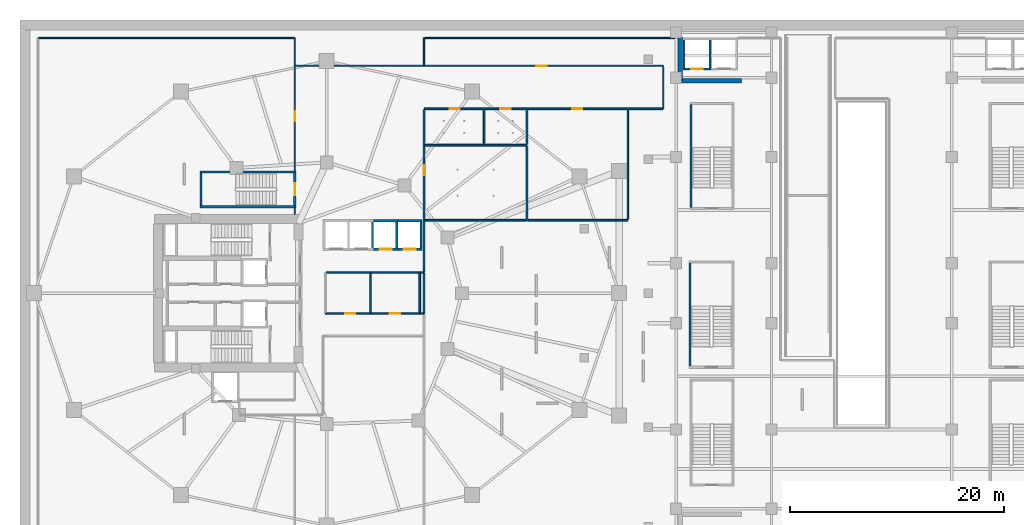
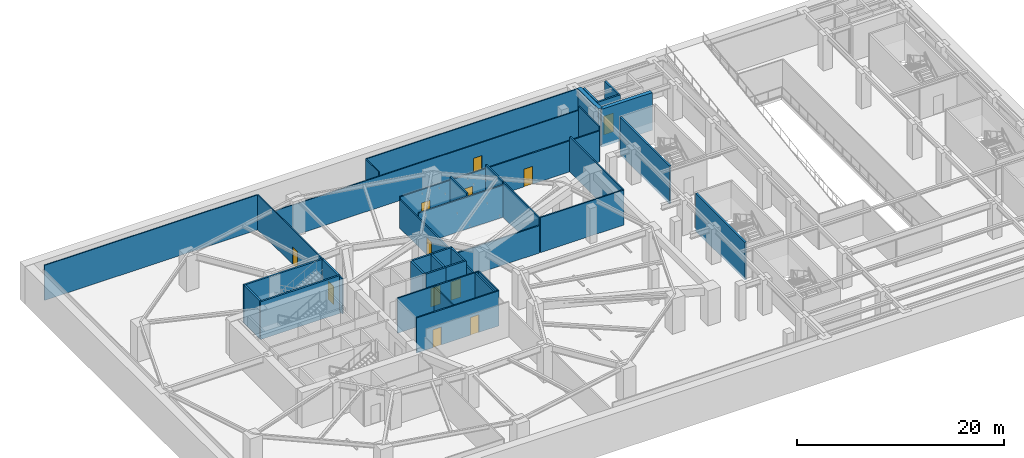
# One storey, part 7 of 16: 39 walls, 12 doors, 12 openings.
"""IFC4 building model written with IfcOpenShell, lengths in metres."""

from ifc_helpers import new_model, si_unit, direction, frame, frame_2d, origin, place, context, subcontext, project, spatial, rectangle, extrude, material, layer, layer_set, type_object, element, fill, save


model = new_model("IFC4")

# Units and contexts
model_context = context("Model", 3, precision=1e-05, world=origin(), true_north=direction((0.0, 1.0)))
body_context = subcontext(model_context, "Body", "Model", "MODEL_VIEW")
ifc_project = project(units=[si_unit("LENGTHUNIT", "METRE"), si_unit("AREAUNIT", "SQUARE_METRE"), si_unit("VOLUMEUNIT", "CUBIC_METRE"), si_unit("PLANEANGLEUNIT", "RADIAN"), si_unit("MASSUNIT", "GRAM", prefix="KILO")], contexts=[model_context])

# Site, building, storey
site_placement = place(None, origin())
site = spatial("IfcSite", under=ifc_project, at=site_placement, CompositionType="ELEMENT")
building_placement = place(site_placement, origin())
building = spatial("IfcBuilding", under=site, at=building_placement, Name="Kolvaren Gate Tower and Convention Centre", CompositionType="ELEMENT")
storey_placement = place(building_placement, frame((0.0, 0.0, -4.5)))
storey = spatial("IfcBuildingStorey", under=building, at=storey_placement, Name="B1", CompositionType="ELEMENT", Elevation=-4.5)

# Wall
ifc_material_1 = material(Name="Fire-Rated Acoustic Gypsum Stud Partition", Category="gypsum")
ifc_layer_1 = layer(ifc_material_1, 0.1201171875)
ifc_layer_set_1 = layer_set([ifc_layer_1], Name="Fire-Rated Acoustic Gypsum Stud Partition")
wall_type_1 = type_object("IfcWallType", Name="ARCH-WL-PART-120", PredefinedType="PARTITIONING", material=ifc_layer_set_1)
wall_1_placement = place(storey_placement, frame((27.14990234375, 34.35205078125, 0.0), z_axis=(0.0, 0.0, 1.0), x_axis=(0.0, 1.0, 0.0)))
element("IfcWall", 1, at=wall_1_placement, inside=storey, type_object=wall_type_1, Name="Interior Partition WL-B1-INT-018", PredefinedType="PARTITIONING", context=body_context, shape_type="SweptSolid", body=[
    extrude(rectangle(XDim=0.60595703125, YDim=0.1201171875, at=frame_2d((0.302978515625, 0.0))), origin(), (0.0, 0.0, 1.0), 4.139892578125),
])

# Wall, opening, door
wall_2_placement = place(storey_placement, frame((27.14990234375, 38.402099609375, 0.0), z_axis=(0.0, 0.0, 1.0), x_axis=(0.0, 1.0, 0.0)))
wall_2 = element("IfcWall", 2, at=wall_2_placement, inside=storey, type_object=wall_type_1, Name="Interior Partition WL-B1-INT-019", PredefinedType="PARTITIONING", context=body_context, shape_type="SweptSolid", body=[
    extrude(rectangle(XDim=12.39794921875, YDim=0.1201171875, at=frame_2d((6.198974609375, 0.0))), origin(), (0.0, 0.0, 1.0), 4.139892578125),
])
opening_1_placement = place(wall_2_placement, frame((4.62890625, 0.0, 0.0)))
opening_1 = element("IfcOpeningElement", 3, at=opening_1_placement, cuts=wall_2, Name="Opening DR-01", PredefinedType="OPENING", context=body_context, shape_type="SweptSolid", body=[
    extrude(rectangle(XDim=0.949951171875, YDim=2.10009765625, at=frame_2d((0.47509765625, 1.050048828125))), frame((0.0, 0.070068359375, 0.0), z_axis=(0.0, -1.0, 0.0), x_axis=(1.0, 0.0, 0.0)), (0.0, 0.0, 1.0), 0.14013671875),
])
ifc_material_2 = material(Name="Painted Architectural Steelwork ASTM A500 Grade C 345 MPa", Category="steel")
door_type_1 = type_object("IfcDoorType", Name="ARCH-DR-RISER-950", OperationType="SINGLE_SWING_RIGHT", PredefinedType="DOOR", material=ifc_material_2)
door_1_placement = place(opening_1_placement, origin())
door_1 = element("IfcDoor", 4, at=door_1_placement, inside=storey, type_object=door_type_1, Name="Basement B1 Tower Parking Aisles and Bays Door", OperationType="SINGLE_SWING_LEFT", OverallHeight=2.10009765625, OverallWidth=0.949951171875, PredefinedType="DOOR", context=body_context, shape_type="SweptSolid", body=[
    extrude(rectangle(XDim=0.949951171875, YDim=2.10009765625, at=frame_2d((0.47509765625, 1.050048828125))), frame((0.0, 0.02490234375, 0.0), z_axis=(0.0, -1.0, 0.0), x_axis=(1.0, 0.0, 0.0)), (0.0, 0.0, 1.0), 0.050048828125),
])
fill(opening_1, door_1)

wall_3_placement = place(storey_placement, frame((27.2119140625, 48.199951171875, 0.0), z_axis=(0.0, 0.0, 1.0), x_axis=(1.0, 0.0, 0.0)))
wall_3 = element("IfcWall", 5, at=wall_3_placement, inside=storey, type_object=wall_type_1, Name="Interior Partition WL-B1-INT-020", PredefinedType="PARTITIONING", context=body_context, shape_type="SweptSolid", body=[
    extrude(rectangle(XDim=34.2880859375, YDim=0.1201171875, at=frame_2d((17.14404296875, 0.0))), origin(), (0.0, 0.0, 1.0), 3.6630859375),
])
opening_2_placement = place(wall_3_placement, frame((22.4580078125, 0.0, 0.0)))
opening_2 = element("IfcOpeningElement", 6, at=opening_2_placement, cuts=wall_3, Name="Opening DR-01", PredefinedType="OPENING", context=body_context, shape_type="SweptSolid", body=[
    extrude(rectangle(XDim=0.949951171875, YDim=2.10009765625, at=frame_2d((0.47509765625, 1.050048828125))), frame((0.0, 0.070068359375, 0.0), z_axis=(0.0, -1.0, 0.0), x_axis=(1.0, 0.0, 0.0)), (0.0, 0.0, 1.0), 0.14013671875),
])
door_2_placement = place(opening_2_placement, origin())
door_2 = element("IfcDoor", 7, at=door_2_placement, inside=storey, type_object=door_type_1, Name="Basement B1 Convention Parking Garage Door", OperationType="SINGLE_SWING_RIGHT", OverallHeight=2.10009765625, OverallWidth=0.949951171875, PredefinedType="DOOR", context=body_context, shape_type="SweptSolid", body=[
    extrude(rectangle(XDim=0.949951171875, YDim=2.10009765625, at=frame_2d((0.47509765625, 1.050048828125))), frame((0.0, 0.02490234375, 0.0), z_axis=(0.0, -1.0, 0.0), x_axis=(1.0, 0.0, 0.0)), (0.0, 0.0, 1.0), 0.050048828125),
])
fill(opening_2, door_2)

# Walls
wall_4_placement = place(storey_placement, frame((61.5, 44.199951171875, 0.0), z_axis=(0.0, 0.0, 1.0), x_axis=(0.0, 1.0, 0.0)))
element("IfcWall", 8, at=wall_4_placement, inside=storey, type_object=wall_type_1, Name="Interior Partition WL-B1-INT-021", PredefinedType="PARTITIONING", context=body_context, shape_type="SweptSolid", body=[
    extrude(rectangle(XDim=3.93798828125, YDim=0.1201171875, at=frame_2d((1.968994140625, 0.0))), origin(), (0.0, 0.0, 1.0), 4.139892578125),
])
wall_5_placement = place(storey_placement, frame((39.199951171875, 48.261962890625, 0.0), z_axis=(0.0, 0.0, 1.0), x_axis=(0.0, 1.0, 0.0)))
element("IfcWall", 9, at=wall_5_placement, inside=storey, type_object=wall_type_1, Name="Interior Partition WL-B1-INT-024", PredefinedType="PARTITIONING", context=body_context, shape_type="SweptSolid", body=[
    extrude(rectangle(XDim=2.5380859375, YDim=0.1201171875, at=frame_2d((1.26904296875, 0.0))), origin(), (0.0, 0.0, 1.0), 4.139892578125),
])
wall_6_placement = place(storey_placement, frame((3.261962890625, 50.800048828125, 0.0), z_axis=(0.0, 0.0, 1.0), x_axis=(1.0, 0.0, 0.0)))
element("IfcWall", 10, at=wall_6_placement, inside=storey, type_object=wall_type_1, Name="Interior Partition WL-B1-INT-029", PredefinedType="PARTITIONING", context=body_context, shape_type="SweptSolid", body=[
    extrude(rectangle(XDim=23.825927734375, YDim=0.1201171875, at=frame_2d((11.9130859375, 0.0))), origin(), (0.0, 0.0, 1.0), 4.139892578125),
])
wall_7_placement = place(storey_placement, frame((39.261962890625, 50.800048828125, 0.0), z_axis=(0.0, 0.0, 1.0), x_axis=(1.0, 0.0, 0.0)))
element("IfcWall", 11, at=wall_7_placement, inside=storey, type_object=wall_type_1, Name="Interior Partition WL-B1-INT-030", PredefinedType="PARTITIONING", context=body_context, shape_type="SweptSolid", body=[
    extrude(rectangle(XDim=23.6259765625, YDim=0.1201171875, at=frame_2d((11.81298828125, 0.0))), origin(), (0.0, 0.0, 1.0), 4.139892578125),
])
ifc_material_3 = material(Name="Autoclaved Aerated Masonry Blockwork Class 4 (4.0 MPa)", Category="masonry")
ifc_layer_2 = layer(ifc_material_3, 0.199951171875)
ifc_layer_set_2 = layer_set([ifc_layer_2], Name="Autoclaved Aerated Masonry Blockwork Class 4 (4.0 MPa)")
wall_type_2 = type_object("IfcWallType", Name="ARCH-WL-SHAFT-200", PredefinedType="SOLIDWALL", material=ifc_layer_set_2)
wall_8_placement = place(storey_placement, frame((34.39990234375, 31.2099609375, 0.0), z_axis=(0.0, 0.0, 1.0), x_axis=(0.0, 1.0, 0.0)))
element("IfcWall", 12, at=wall_8_placement, inside=storey, type_object=wall_type_2, Name="Elevator PL-02 B1 Fire Shaft Wall E", PredefinedType="SOLIDWALL", context=body_context, shape_type="SweptSolid", body=[
    extrude(rectangle(XDim=2.429931640625, YDim=0.199951171875, at=frame_2d((1.21484375, 0.0))), origin(), (0.0, 0.0, 1.0), 4.139892578125),
])
wall_9_placement = place(storey_placement, frame((34.5, 33.75, 0.0), z_axis=(0.0, 0.0, 1.0), x_axis=(1.0, 0.0, 0.0)))
element("IfcWall", 13, at=wall_9_placement, inside=storey, type_object=wall_type_2, Name="Elevator PL-03 B1 Fire Shaft Wall N", PredefinedType="SOLIDWALL", context=body_context, shape_type="SweptSolid", body=[
    extrude(rectangle(XDim=2.25, YDim=0.199951171875, at=frame_2d((1.125, 0.0))), origin(), (0.0, 0.0, 1.0), 4.139892578125),
])

# Wall, opening, door
wall_10_placement = place(storey_placement, frame((34.5, 31.10009765625, 0.0), z_axis=(0.0, 0.0, 1.0), x_axis=(1.0, 0.0, 0.0)))
wall_10 = element("IfcWall", 14, at=wall_10_placement, inside=storey, type_object=wall_type_2, Name="Elevator PL-03 B1 Fire Shaft Wall S", PredefinedType="SOLIDWALL", context=body_context, shape_type="SweptSolid", body=[
    extrude(rectangle(XDim=2.25, YDim=0.199951171875, at=frame_2d((1.125, 0.0))), origin(), (0.0, 0.0, 1.0), 4.139892578125),
])
opening_3_placement = place(wall_10_placement, frame((0.574951171875, 0.0, 0.0)))
opening_3 = element("IfcOpeningElement", 15, at=opening_3_placement, cuts=wall_10, Name="Opening LD", PredefinedType="OPENING", context=body_context, shape_type="SweptSolid", body=[
    extrude(rectangle(XDim=1.10009765625, YDim=2.199951171875, at=frame_2d((0.550048828125, 1.10009765625))), frame((0.0, 0.10986328125, 0.0), z_axis=(0.0, -1.0, 0.0), x_axis=(1.0, 0.0, 0.0)), (0.0, 0.0, 1.0), 0.219970703125),
])
ifc_material_4 = material(Name="Brushed Stainless Steel Grade 316L", Category="steel")
door_type_2 = type_object("IfcDoorType", Name="ARCH-DR-LIFT-1100", OperationType="SLIDING_TO_LEFT", PredefinedType="DOOR", material=ifc_material_4)
door_3_placement = place(opening_3_placement, origin())
door_3 = element("IfcDoor", 16, at=door_3_placement, inside=storey, type_object=door_type_2, Name="Elevator PL-03 B1 Sliding Landing Door", OperationType="SLIDING_TO_LEFT", OverallHeight=2.199951171875, OverallWidth=1.10009765625, PredefinedType="DOOR", context=body_context, shape_type="SweptSolid", body=[
    extrude(rectangle(XDim=1.10009765625, YDim=2.199951171875, at=frame_2d((0.550048828125, 1.10009765625))), frame((0.0, 0.02490234375, 0.0), z_axis=(0.0, -1.0, 0.0), x_axis=(1.0, 0.0, 0.0)), (0.0, 0.0, 1.0), 0.050048828125),
])
fill(opening_3, door_3)

# Walls
wall_11_placement = place(storey_placement, frame((36.64990234375, 31.2099609375, 0.0), z_axis=(0.0, 0.0, 1.0), x_axis=(0.0, 1.0, 0.0)))
element("IfcWall", 17, at=wall_11_placement, inside=storey, type_object=wall_type_2, Name="Elevator PL-03 B1 Fire Shaft Wall E", PredefinedType="SOLIDWALL", context=body_context, shape_type="SweptSolid", body=[
    extrude(rectangle(XDim=2.429931640625, YDim=0.199951171875, at=frame_2d((1.21484375, 0.0))), origin(), (0.0, 0.0, 1.0), 4.139892578125),
])
wall_12_placement = place(storey_placement, frame((36.75, 33.75, 0.0), z_axis=(0.0, 0.0, 1.0), x_axis=(1.0, 0.0, 0.0)))
element("IfcWall", 18, at=wall_12_placement, inside=storey, type_object=wall_type_2, Name="Elevator PL-04 B1 Fire Shaft Wall N", PredefinedType="SOLIDWALL", context=body_context, shape_type="SweptSolid", body=[
    extrude(rectangle(XDim=2.25, YDim=0.199951171875, at=frame_2d((1.125, 0.0))), origin(), (0.0, 0.0, 1.0), 4.139892578125),
])

# Wall, opening, door
wall_13_placement = place(storey_placement, frame((36.75, 31.10009765625, 0.0), z_axis=(0.0, 0.0, 1.0), x_axis=(1.0, 0.0, 0.0)))
wall_13 = element("IfcWall", 19, at=wall_13_placement, inside=storey, type_object=wall_type_2, Name="Elevator PL-04 B1 Fire Shaft Wall S", PredefinedType="SOLIDWALL", context=body_context, shape_type="SweptSolid", body=[
    extrude(rectangle(XDim=2.25, YDim=0.199951171875, at=frame_2d((1.125, 0.0))), origin(), (0.0, 0.0, 1.0), 4.139892578125),
])
opening_4_placement = place(wall_13_placement, frame((0.574951171875, 0.0, 0.0)))
opening_4 = element("IfcOpeningElement", 20, at=opening_4_placement, cuts=wall_13, Name="Opening LD", PredefinedType="OPENING", context=body_context, shape_type="SweptSolid", body=[
    extrude(rectangle(XDim=1.10009765625, YDim=2.199951171875, at=frame_2d((0.550048828125, 1.10009765625))), frame((0.0, 0.10986328125, 0.0), z_axis=(0.0, -1.0, 0.0), x_axis=(1.0, 0.0, 0.0)), (0.0, 0.0, 1.0), 0.219970703125),
])
door_4_placement = place(opening_4_placement, origin())
door_4 = element("IfcDoor", 21, at=door_4_placement, inside=storey, type_object=door_type_2, Name="Elevator PL-04 B1 Sliding Landing Door", OperationType="SLIDING_TO_LEFT", OverallHeight=2.199951171875, OverallWidth=1.10009765625, PredefinedType="DOOR", context=body_context, shape_type="SweptSolid", body=[
    extrude(rectangle(XDim=1.10009765625, YDim=2.199951171875, at=frame_2d((0.550048828125, 1.10009765625))), frame((0.0, 0.02490234375, 0.0), z_axis=(0.0, -1.0, 0.0), x_axis=(1.0, 0.0, 0.0)), (0.0, 0.0, 1.0), 0.050048828125),
])
fill(opening_4, door_4)

# Wall
wall_14_placement = place(storey_placement, frame((38.89990234375, 31.2099609375, 0.0), z_axis=(0.0, 0.0, 1.0), x_axis=(0.0, 1.0, 0.0)))
element("IfcWall", 22, at=wall_14_placement, inside=storey, type_object=wall_type_2, Name="Elevator PL-04 B1 Fire Shaft Wall E", PredefinedType="SOLIDWALL", context=body_context, shape_type="SweptSolid", body=[
    extrude(rectangle(XDim=2.429931640625, YDim=0.199951171875, at=frame_2d((1.21484375, 0.0))), origin(), (0.0, 0.0, 1.0), 4.139892578125),
])

# Wall, opening, door
wall_15_placement = place(storey_placement, frame((63.35009765625, 47.89990234375, 0.0), z_axis=(0.0, 0.0, 1.0), x_axis=(1.0, 0.0, 0.0)))
wall_15 = element("IfcWall", 23, at=wall_15_placement, inside=storey, type_object=wall_type_2, Name="Elevator CL-01 B1 Fire Shaft Wall S", PredefinedType="SOLIDWALL", context=body_context, shape_type="SweptSolid", body=[
    extrude(rectangle(XDim=2.599853515625, YDim=0.199951171875, at=frame_2d((1.2998046875, 0.0))), origin(), (0.0, 0.0, 1.0), 4.139892578125),
])
opening_5_placement = place(wall_15_placement, frame((0.75, 0.0, 0.0)))
opening_5 = element("IfcOpeningElement", 24, at=opening_5_placement, cuts=wall_15, Name="Opening LD", PredefinedType="OPENING", context=body_context, shape_type="SweptSolid", body=[
    extrude(rectangle(XDim=1.10009765625, YDim=2.199951171875, at=frame_2d((0.550048828125, 1.10009765625))), frame((0.0, 0.10986328125, 0.0), z_axis=(0.0, -1.0, 0.0), x_axis=(1.0, 0.0, 0.0)), (0.0, 0.0, 1.0), 0.219970703125),
])
door_5_placement = place(opening_5_placement, origin())
door_5 = element("IfcDoor", 25, at=door_5_placement, inside=storey, type_object=door_type_2, Name="Elevator CL-01 B1 Sliding Landing Door", OperationType="SLIDING_TO_LEFT", OverallHeight=2.199951171875, OverallWidth=1.10009765625, PredefinedType="DOOR", context=body_context, shape_type="SweptSolid", body=[
    extrude(rectangle(XDim=1.10009765625, YDim=2.199951171875, at=frame_2d((0.550048828125, 1.10009765625))), frame((0.0, 0.02490234375, 0.0), z_axis=(0.0, -1.0, 0.0), x_axis=(1.0, 0.0, 0.0)), (0.0, 0.0, 1.0), 0.050048828125),
])
fill(opening_5, door_5)

# Walls
for number, where, z_axis, x_axis, name in (
    (26, (63.449951171875, 48.010009765625, 0.0), (0.0, 0.0, 1.0), (0.0, 1.0, 0.0), "Elevator CL-01 B1 Fire Shaft Wall W"),
    (27, (65.85009765625, 48.010009765625, 0.0), (0.0, 0.0, 1.0), (0.0, 1.0, 0.0), "Elevator CL-01 B1 Fire Shaft Wall E"),
):
    element("IfcWall", number, at=place(storey_placement, frame(where, z_axis=z_axis, x_axis=x_axis)), inside=storey, type_object=wall_type_2, Name=name, PredefinedType="SOLIDWALL", context=body_context, shape_type="SweptSolid", body=[
        extrude(rectangle(XDim=2.580078125, YDim=0.199951171875, at=frame_2d((1.2900390625, 0.0))), origin(), (0.0, 0.0, 1.0), 4.139892578125),
    ])

# Wall, openings, doors
ifc_material_5 = material(Name="Moisture-Resistant Cement-Board Acoustic Partition", Category="gypsum")
ifc_layer_3 = layer(ifc_material_5, 0.14990234375)
ifc_layer_set_3 = layer_set([ifc_layer_3], Name="Moisture-Resistant Cement-Board Acoustic Partition")
wall_type_3 = type_object("IfcWallType", Name="ARCH-WL-WET-150", PredefinedType="PARTITIONING", material=ifc_layer_set_3)
wall_16_placement = place(storey_placement, frame((30.0, 25.1201171875, 0.0), z_axis=(0.0, 0.0, 1.0), x_axis=(1.0, 0.0, 0.0)))
wall_16 = element("IfcWall", 28, at=wall_16_placement, inside=storey, type_object=wall_type_3, Name="Interior Partition WL-B1-INT-009", PredefinedType="PARTITIONING", context=body_context, shape_type="SweptSolid", body=[
    extrude(rectangle(XDim=9.199951171875, YDim=0.14990234375, at=frame_2d((4.60009765625, 0.0))), origin(), (0.0, 0.0, 1.0), 4.139892578125),
])
opening_6_placement = place(wall_16_placement, frame((1.830078125, 0.0, 0.0)))
opening_6 = element("IfcOpeningElement", 29, at=opening_6_placement, cuts=wall_16, Name="Opening DR-01", PredefinedType="OPENING", context=body_context, shape_type="SweptSolid", body=[
    extrude(rectangle(XDim=0.949951171875, YDim=2.10009765625, at=frame_2d((0.47509765625, 1.050048828125))), frame((0.0, 0.0849609375, 0.0), z_axis=(0.0, -1.0, 0.0), x_axis=(1.0, 0.0, 0.0)), (0.0, 0.0, 1.0), 0.169921875),
])
opening_7_placement = place(wall_16_placement, frame((6.02001953125, 0.0, 0.0)))
opening_7 = element("IfcOpeningElement", 30, at=opening_7_placement, cuts=wall_16, Name="Opening DR-01", PredefinedType="OPENING", context=body_context, shape_type="SweptSolid", body=[
    extrude(rectangle(XDim=0.949951171875, YDim=2.10009765625, at=frame_2d((0.47509765625, 1.050048828125))), frame((0.0, 0.0849609375, 0.0), z_axis=(0.0, -1.0, 0.0), x_axis=(1.0, 0.0, 0.0)), (0.0, 0.0, 1.0), 0.169921875),
])
door_6_placement = place(opening_6_placement, origin())
door_6 = element("IfcDoor", 31, at=door_6_placement, inside=storey, type_object=door_type_1, Name="Basement Accessible Restroom Door", OperationType="SINGLE_SWING_LEFT", OverallHeight=2.10009765625, OverallWidth=0.949951171875, PredefinedType="DOOR", context=body_context, shape_type="SweptSolid", body=[
    extrude(rectangle(XDim=0.949951171875, YDim=2.10009765625, at=frame_2d((0.47509765625, 1.050048828125))), frame((0.0, 0.02490234375, 0.0), z_axis=(0.0, -1.0, 0.0), x_axis=(1.0, 0.0, 0.0)), (0.0, 0.0, 1.0), 0.050048828125),
])
fill(opening_6, door_6)
door_7_placement = place(opening_7_placement, origin())
door_7 = element("IfcDoor", 32, at=door_7_placement, inside=storey, type_object=door_type_1, Name="Basement Janitor and Maintenance Store Door", OperationType="SINGLE_SWING_RIGHT", OverallHeight=2.10009765625, OverallWidth=0.949951171875, PredefinedType="DOOR", context=body_context, shape_type="SweptSolid", body=[
    extrude(rectangle(XDim=0.949951171875, YDim=2.10009765625, at=frame_2d((0.47509765625, 1.050048828125))), frame((0.0, 0.02490234375, 0.0), z_axis=(0.0, -1.0, 0.0), x_axis=(1.0, 0.0, 0.0)), (0.0, 0.0, 1.0), 0.050048828125),
])
fill(opening_7, door_7)

# Walls
wall_17_placement = place(storey_placement, frame((30.076904296875, 28.919921875, 0.0), z_axis=(0.0, 0.0, 1.0), x_axis=(1.0, 0.0, 0.0)))
element("IfcWall", 33, at=wall_17_placement, inside=storey, type_object=wall_type_3, Name="Interior Partition WL-B1-INT-011", PredefinedType="PARTITIONING", context=body_context, shape_type="SweptSolid", body=[
    extrude(rectangle(XDim=9.123046875, YDim=0.14990234375, at=frame_2d((4.5615234375, 0.0))), origin(), (0.0, 0.0, 1.0), 4.139892578125),
])
for number, where, z_axis, x_axis, name in (
    (34, (34.199951171875, 25.197021484375, 0.0), (0.0, 0.0, 1.0), (0.0, 1.0, 0.0), "Interior Partition WL-B1-INT-012"),
    (35, (38.800048828125, 25.197021484375, 0.0), (0.0, 0.0, 1.0), (0.0, 1.0, 0.0), "Interior Partition WL-B1-INT-013"),
):
    element("IfcWall", number, at=place(storey_placement, frame(where, z_axis=z_axis, x_axis=x_axis)), inside=storey, type_object=wall_type_3, Name=name, PredefinedType="PARTITIONING", context=body_context, shape_type="SweptSolid", body=[
        extrude(rectangle(XDim=3.64599609375, YDim=0.14990234375, at=frame_2d((1.822998046875, 0.0))), origin(), (0.0, 0.0, 1.0), 4.139892578125),
    ])

# Wall, openings, doors
wall_18_placement = place(storey_placement, frame((39.199951171875, 44.199951171875, 0.0), z_axis=(0.0, 0.0, 1.0), x_axis=(1.0, 0.0, 0.0)))
wall_18 = element("IfcWall", 36, at=wall_18_placement, inside=storey, type_object=wall_type_3, Name="Interior Partition WL-B1-INT-022", PredefinedType="PARTITIONING", context=body_context, shape_type="SweptSolid", body=[
    extrude(rectangle(XDim=22.238037109375, YDim=0.14990234375, at=frame_2d((11.119140625, 0.0))), origin(), (0.0, 0.0, 1.0), 3.6630859375),
])
opening_8_placement = place(wall_18_placement, frame((2.389892578125, 0.0, 0.0)))
opening_8 = element("IfcOpeningElement", 37, at=opening_8_placement, cuts=wall_18, Name="Opening DR-01", PredefinedType="OPENING", context=body_context, shape_type="SweptSolid", body=[
    extrude(rectangle(XDim=0.949951171875, YDim=2.10009765625, at=frame_2d((0.47509765625, 1.050048828125))), frame((0.0, 0.0849609375, 0.0), z_axis=(0.0, -1.0, 0.0), x_axis=(1.0, 0.0, 0.0)), (0.0, 0.0, 1.0), 0.169921875),
])
opening_9_placement = place(wall_18_placement, frame((7.125, 0.0, 0.0)))
opening_9 = element("IfcOpeningElement", 38, at=opening_9_placement, cuts=wall_18, Name="Opening DR-01", PredefinedType="OPENING", context=body_context, shape_type="SweptSolid", body=[
    extrude(rectangle(XDim=0.949951171875, YDim=2.10009765625, at=frame_2d((0.47509765625, 1.050048828125))), frame((0.0, 0.0849609375, 0.0), z_axis=(0.0, -1.0, 0.0), x_axis=(1.0, 0.0, 0.0)), (0.0, 0.0, 1.0), 0.169921875),
])
opening_10_placement = place(wall_18_placement, frame((13.824951171875, 0.0, 0.0)))
opening_10 = element("IfcOpeningElement", 39, at=opening_10_placement, cuts=wall_18, Name="Opening DR-01", PredefinedType="OPENING", context=body_context, shape_type="SweptSolid", body=[
    extrude(rectangle(XDim=0.949951171875, YDim=2.10009765625, at=frame_2d((0.47509765625, 1.050048828125))), frame((0.0, 0.0849609375, 0.0), z_axis=(0.0, -1.0, 0.0), x_axis=(1.0, 0.0, 0.0)), (0.0, 0.0, 1.0), 0.169921875),
])
door_8_placement = place(opening_8_placement, origin())
door_8 = element("IfcDoor", 40, at=door_8_placement, inside=storey, type_object=door_type_1, Name="Commuter Changing and Shower Room Door", OperationType="SINGLE_SWING_LEFT", OverallHeight=2.10009765625, OverallWidth=0.949951171875, PredefinedType="DOOR", context=body_context, shape_type="SweptSolid", body=[
    extrude(rectangle(XDim=0.949951171875, YDim=2.10009765625, at=frame_2d((0.47509765625, 1.050048828125))), frame((0.0, 0.02490234375, 0.0), z_axis=(0.0, -1.0, 0.0), x_axis=(1.0, 0.0, 0.0)), (0.0, 0.0, 1.0), 0.050048828125),
])
fill(opening_8, door_8)
door_9_placement = place(opening_9_placement, origin())
door_9 = element("IfcDoor", 41, at=door_9_placement, inside=storey, type_object=door_type_1, Name="Cyclist Helmet and Gear Drying Room Door", OperationType="SINGLE_SWING_RIGHT", OverallHeight=2.10009765625, OverallWidth=0.949951171875, PredefinedType="DOOR", context=body_context, shape_type="SweptSolid", body=[
    extrude(rectangle(XDim=0.949951171875, YDim=2.10009765625, at=frame_2d((0.47509765625, 1.050048828125))), frame((0.0, 0.02490234375, 0.0), z_axis=(0.0, -1.0, 0.0), x_axis=(1.0, 0.0, 0.0)), (0.0, 0.0, 1.0), 0.050048828125),
])
fill(opening_9, door_9)
door_10_placement = place(opening_10_placement, origin())
door_10 = element("IfcDoor", 42, at=door_10_placement, inside=storey, type_object=door_type_1, Name="Below-Grade Loading Bay and Refuse Marshalling Dock Door", OperationType="SINGLE_SWING_LEFT", OverallHeight=2.10009765625, OverallWidth=0.949951171875, PredefinedType="DOOR", context=body_context, shape_type="SweptSolid", body=[
    extrude(rectangle(XDim=0.949951171875, YDim=2.10009765625, at=frame_2d((0.47509765625, 1.050048828125))), frame((0.0, 0.02490234375, 0.0), z_axis=(0.0, -1.0, 0.0), x_axis=(1.0, 0.0, 0.0)), (0.0, 0.0, 1.0), 0.050048828125),
])
fill(opening_10, door_10)

# Wall
wall_19_placement = place(storey_placement, frame((39.199951171875, 25.197021484375, 0.0), z_axis=(0.0, 0.0, 1.0), x_axis=(0.0, 1.0, 0.0)))
element("IfcWall", 43, at=wall_19_placement, inside=storey, type_object=wall_type_3, Name="Interior Partition WL-B1-INT-023 (2)", PredefinedType="PARTITIONING", context=body_context, shape_type="SweptSolid", body=[
    extrude(rectangle(XDim=3.64599609375, YDim=0.14990234375, at=frame_2d((1.822998046875, 0.0))), origin(), (0.0, 0.0, 1.0), 4.139892578125),
])

# Wall, opening, door
wall_20_placement = place(storey_placement, frame((39.199951171875, 28.9970703125, 0.0), z_axis=(0.0, 0.0, 1.0), x_axis=(0.0, 1.0, 0.0)))
wall_20 = element("IfcWall", 44, at=wall_20_placement, inside=storey, type_object=wall_type_3, Name="Interior Partition WL-B1-INT-023 (3)", PredefinedType="PARTITIONING", context=body_context, shape_type="SweptSolid", body=[
    extrude(rectangle(XDim=15.1259765625, YDim=0.14990234375, at=frame_2d((7.56298828125, 0.0))), origin(), (0.0, 0.0, 1.0), 3.3740234375),
])
opening_11_placement = place(wall_20_placement, frame((8.98291015625, 0.0, 0.0)))
opening_11 = element("IfcOpeningElement", 45, at=opening_11_placement, cuts=wall_20, Name="Opening DR-01", PredefinedType="OPENING", context=body_context, shape_type="SweptSolid", body=[
    extrude(rectangle(XDim=0.949951171875, YDim=2.10009765625, at=frame_2d((0.47509765625, 1.050048828125))), frame((0.0, 0.0849609375, 0.0), z_axis=(0.0, -1.0, 0.0), x_axis=(1.0, 0.0, 0.0)), (0.0, 0.0, 1.0), 0.169921875),
])
door_11_placement = place(opening_11_placement, origin())
door_11 = element("IfcDoor", 46, at=door_11_placement, inside=storey, type_object=door_type_1, Name="Commuter Bicycle Storage Room Door", OperationType="SINGLE_SWING_RIGHT", OverallHeight=2.10009765625, OverallWidth=0.949951171875, PredefinedType="DOOR", context=body_context, shape_type="SweptSolid", body=[
    extrude(rectangle(XDim=0.949951171875, YDim=2.10009765625, at=frame_2d((0.47509765625, 1.050048828125))), frame((0.0, 0.02490234375, 0.0), z_axis=(0.0, -1.0, 0.0), x_axis=(1.0, 0.0, 0.0)), (0.0, 0.0, 1.0), 0.050048828125),
])
fill(opening_11, door_11)

# Walls
wall_21_placement = place(storey_placement, frame((39.277099609375, 40.800048828125, 0.0), z_axis=(0.0, 0.0, 1.0), x_axis=(1.0, 0.0, 0.0)))
element("IfcWall", 47, at=wall_21_placement, inside=storey, type_object=wall_type_3, Name="Interior Partition WL-B1-INT-035", PredefinedType="PARTITIONING", context=body_context, shape_type="SweptSolid", body=[
    extrude(rectangle(XDim=9.52294921875, YDim=0.14990234375, at=frame_2d((4.761474609375, 0.0))), origin(), (0.0, 0.0, 1.0), 3.77490234375),
])
wall_22_placement = place(storey_placement, frame((48.800048828125, 33.800048828125, 0.0), z_axis=(0.0, 0.0, 1.0), x_axis=(0.0, 1.0, 0.0)))
element("IfcWall", 48, at=wall_22_placement, inside=storey, type_object=wall_type_3, Name="Interior Partition WL-B1-INT-036", PredefinedType="PARTITIONING", context=body_context, shape_type="SweptSolid", body=[
    extrude(rectangle(XDim=6.9228515625, YDim=0.14990234375, at=frame_2d((3.46142578125, 0.0))), origin(), (0.0, 0.0, 1.0), 4.139892578125),
])
wall_23_placement = place(storey_placement, frame((48.800048828125, 40.876953125, 0.0), z_axis=(0.0, 0.0, 1.0), x_axis=(0.0, 1.0, 0.0)))
element("IfcWall", 49, at=wall_23_placement, inside=storey, type_object=wall_type_3, Name="Interior Partition WL-B1-INT-036 (2)", PredefinedType="PARTITIONING", context=body_context, shape_type="SweptSolid", body=[
    extrude(rectangle(XDim=3.24609375, YDim=0.14990234375, at=frame_2d((1.623046875, 0.0))), origin(), (0.0, 0.0, 1.0), 4.139892578125),
])
wall_24_placement = place(storey_placement, frame((39.277099609375, 33.800048828125, 0.0), z_axis=(0.0, 0.0, 1.0), x_axis=(1.0, 0.0, 0.0)))
element("IfcWall", 50, at=wall_24_placement, inside=storey, type_object=wall_type_3, Name="Interior Partition WL-B1-INT-037", PredefinedType="PARTITIONING", context=body_context, shape_type="SweptSolid", body=[
    extrude(rectangle(XDim=9.44580078125, YDim=0.14990234375, at=frame_2d((4.722900390625, 0.0))), origin(), (0.0, 0.0, 1.0), 3.23193359375),
])
wall_25_placement = place(storey_placement, frame((48.876953125, 33.800048828125, 0.0), z_axis=(0.0, 0.0, 1.0), x_axis=(1.0, 0.0, 0.0)))
element("IfcWall", 51, at=wall_25_placement, inside=storey, type_object=wall_type_3, Name="Interior Partition WL-B1-INT-037 (2)", PredefinedType="PARTITIONING", context=body_context, shape_type="SweptSolid", body=[
    extrude(rectangle(XDim=9.322998046875, YDim=0.14990234375, at=frame_2d((4.66162109375, 0.0))), origin(), (0.0, 0.0, 1.0), 4.139892578125),
])
wall_26_placement = place(storey_placement, frame((44.800048828125, 40.876953125, 0.0), z_axis=(0.0, 0.0, 1.0), x_axis=(0.0, 1.0, 0.0)))
element("IfcWall", 52, at=wall_26_placement, inside=storey, type_object=wall_type_3, Name="Interior Partition WL-B1-INT-038", PredefinedType="PARTITIONING", context=body_context, shape_type="SweptSolid", body=[
    extrude(rectangle(XDim=3.24609375, YDim=0.14990234375, at=frame_2d((1.623046875, 0.0))), origin(), (0.0, 0.0, 1.0), 4.139892578125),
])
wall_27_placement = place(storey_placement, frame((58.199951171875, 33.876953125, 0.0), z_axis=(0.0, 0.0, 1.0), x_axis=(0.0, 1.0, 0.0)))
element("IfcWall", 53, at=wall_27_placement, inside=storey, type_object=wall_type_3, Name="Interior Partition WL-B1-INT-039", PredefinedType="PARTITIONING", context=body_context, shape_type="SweptSolid", body=[
    extrude(rectangle(XDim=10.24609375, YDim=0.14990234375, at=frame_2d((5.123046875, 0.0))), origin(), (0.0, 0.0, 1.0), 4.139892578125),
])
ifc_material_6 = material(Name="Concrete C50/60", Category="concrete")
ifc_layer_4 = layer(ifc_material_6, 0.419921875)
ifc_layer_set_4 = layer_set([ifc_layer_4], Name="Concrete C50/60")
wall_type_4 = type_object("IfcWallType", Name="STR-WL-CONV-420", PredefinedType="SHEAR", material=ifc_layer_set_4)
wall_28_placement = place(storey_placement, frame((63.10009765625, 46.800048828125, -0.320068359375), z_axis=(0.0, 0.0, 1.0), x_axis=(0.0, 1.0, 0.0)))
element("IfcWall", 54, at=wall_28_placement, inside=storey, type_object=wall_type_4, Name="Convention B1 Shear Core Wall CCNW-W", PredefinedType="SHEAR", context=body_context, shape_type="SweptSolid", body=[
    extrude(rectangle(XDim=4.099853515625, YDim=0.419921875, at=frame_2d((2.0498046875, 0.0))), origin(), (0.0, 0.0, 1.0), 4.4599609375),
])
wall_29_placement = place(storey_placement, frame((63.10009765625, 46.800048828125, -0.320068359375), z_axis=(0.0, 0.0, 1.0), x_axis=(1.0, 0.0, 0.0)))
element("IfcWall", 55, at=wall_29_placement, inside=storey, type_object=wall_type_4, Name="Convention B1 Shear Core Wall CCNW-S", PredefinedType="SHEAR", context=body_context, shape_type="SweptSolid", body=[
    extrude(rectangle(XDim=5.699951171875, YDim=0.419921875, at=frame_2d((2.85009765625, 0.0))), origin(), (0.0, 0.0, 1.0), 4.4599609375),
])

# Wall, opening, door
ifc_layer_5 = layer(ifc_material_6, 0.199951171875)
ifc_layer_set_5 = layer_set([ifc_layer_5], Name="Concrete C50/60")
wall_type_5 = type_object("IfcWallType", Name="STR-WL-SHAFT-200", PredefinedType="SHEAR", material=ifc_layer_set_5)
wall_30_placement = place(storey_placement, frame((27.14990234375, 35.159912109375, -0.320068359375), z_axis=(0.0, 0.0, 1.0), x_axis=(0.0, 1.0, 0.0)))
wall_30 = element("IfcWall", 56, at=wall_30_placement, inside=storey, type_object=wall_type_5, Name="Tower Mid-Zone Exit Stair ST-T3 B1 Structural Shear Enclosure Wall NEAR", PredefinedType="SHEAR", context=body_context, shape_type="SweptSolid", body=[
    extrude(rectangle(XDim=3.0400390625, YDim=0.199951171875, at=frame_2d((1.52001953125, 0.0))), origin(), (0.0, 0.0, 1.0), 4.4599609375),
])
opening_12_placement = place(wall_30_placement, frame((0.969970703125, 0.0, 0.320068359375)))
opening_12 = element("IfcOpeningElement", 57, at=opening_12_placement, cuts=wall_30, Name="Opening DS-01", PredefinedType="OPENING", context=body_context, shape_type="SweptSolid", body=[
    extrude(rectangle(XDim=1.10009765625, YDim=2.14990234375, at=frame_2d((0.550048828125, 1.074951171875))), frame((0.0, 0.10986328125, 0.0), z_axis=(0.0, -1.0, 0.0), x_axis=(1.0, 0.0, 0.0)), (0.0, 0.0, 1.0), 0.219970703125),
])
door_type_3 = type_object("IfcDoorType", Name="ARCH-DR-STAIR-1100", OperationType="SINGLE_SWING_LEFT", PredefinedType="DOOR", material=ifc_material_2)
door_12_placement = place(opening_12_placement, origin())
door_12 = element("IfcDoor", 58, at=door_12_placement, inside=storey, type_object=door_type_3, Name="Tower Mid-Zone Exit Stair ST-T3 B1 Fire Exit Stair Door", OperationType="SINGLE_SWING_LEFT", OverallHeight=2.14990234375, OverallWidth=1.10009765625, PredefinedType="DOOR", context=body_context, shape_type="SweptSolid", body=[
    extrude(rectangle(XDim=1.10009765625, YDim=2.14990234375, at=frame_2d((0.550048828125, 1.074951171875))), frame((0.0, 0.02490234375, 0.0), z_axis=(0.0, -1.0, 0.0), x_axis=(1.0, 0.0, 0.0)), (0.0, 0.0, 1.0), 0.050048828125),
])
fill(opening_12, door_12)

# Walls
wall_31_placement = place(storey_placement, frame((18.39990234375, 35.159912109375, -0.320068359375), z_axis=(0.0, 0.0, 1.0), x_axis=(0.0, 1.0, 0.0)))
element("IfcWall", 59, at=wall_31_placement, inside=storey, type_object=wall_type_5, Name="Tower Mid-Zone Exit Stair ST-T3 B1 Structural Shear Enclosure Wall FAR", PredefinedType="SHEAR", context=body_context, shape_type="SweptSolid", body=[
    extrude(rectangle(XDim=3.0400390625, YDim=0.199951171875, at=frame_2d((1.52001953125, 0.0))), origin(), (0.0, 0.0, 1.0), 4.4599609375),
])
for number, where, z_axis, x_axis, name in (
    (60, (18.300048828125, 38.300048828125, -0.320068359375), (0.0, 0.0, 1.0), (1.0, 0.0, 0.0), "Tower Mid-Zone Exit Stair ST-T3 B1 Structural Shear Enclosure Wall LEFT"),
    (61, (18.300048828125, 35.06005859375, -0.320068359375), (0.0, 0.0, 1.0), (1.0, 0.0, 0.0), "Tower Mid-Zone Exit Stair ST-T3 B1 Structural Shear Enclosure Wall RGHT"),
):
    element("IfcWall", number, at=place(storey_placement, frame(where, z_axis=z_axis, x_axis=x_axis)), inside=storey, type_object=wall_type_5, Name=name, PredefinedType="SHEAR", context=body_context, shape_type="SweptSolid", body=[
        extrude(rectangle(XDim=8.949951171875, YDim=0.199951171875, at=frame_2d((4.47509765625, 0.0))), origin(), (0.0, 0.0, 1.0), 4.4599609375),
    ])
wall_32_placement = place(storey_placement, frame((64.10009765625, 35.001953125, -0.320068359375), z_axis=(0.0, 0.0, 1.0), x_axis=(0.0, 1.0, 0.0)))
element("IfcWall", 62, at=wall_32_placement, inside=storey, type_object=wall_type_5, Name="Convention NW Exit Stair ST-C1 B1 Structural Shear Enclosure Wall WEST", PredefinedType="SHEAR", context=body_context, shape_type="SweptSolid", body=[
    extrude(rectangle(XDim=9.595947265625, YDim=0.199951171875, at=frame_2d((4.7978515625, 0.0))), origin(), (0.0, 0.0, 1.0), 4.4599609375),
])
wall_33_placement = place(storey_placement, frame((64.0, 20.201904296875, -0.320068359375), z_axis=(0.0, 0.0, 1.0), x_axis=(0.0, 1.0, 0.0)))
element("IfcWall", 63, at=wall_33_placement, inside=storey, type_object=wall_type_5, Name="Convention West Assembly Stair ST-C5 B1 Structural Shear Enclosure Wall WEST", PredefinedType="SHEAR", context=body_context, shape_type="SweptSolid", body=[
    extrude(rectangle(XDim=9.59619140625, YDim=0.199951171875, at=frame_2d((4.798095703125, 0.0))), origin(), (0.0, 0.0, 1.0), 4.4599609375),
])

save(model, "model.ifc")
